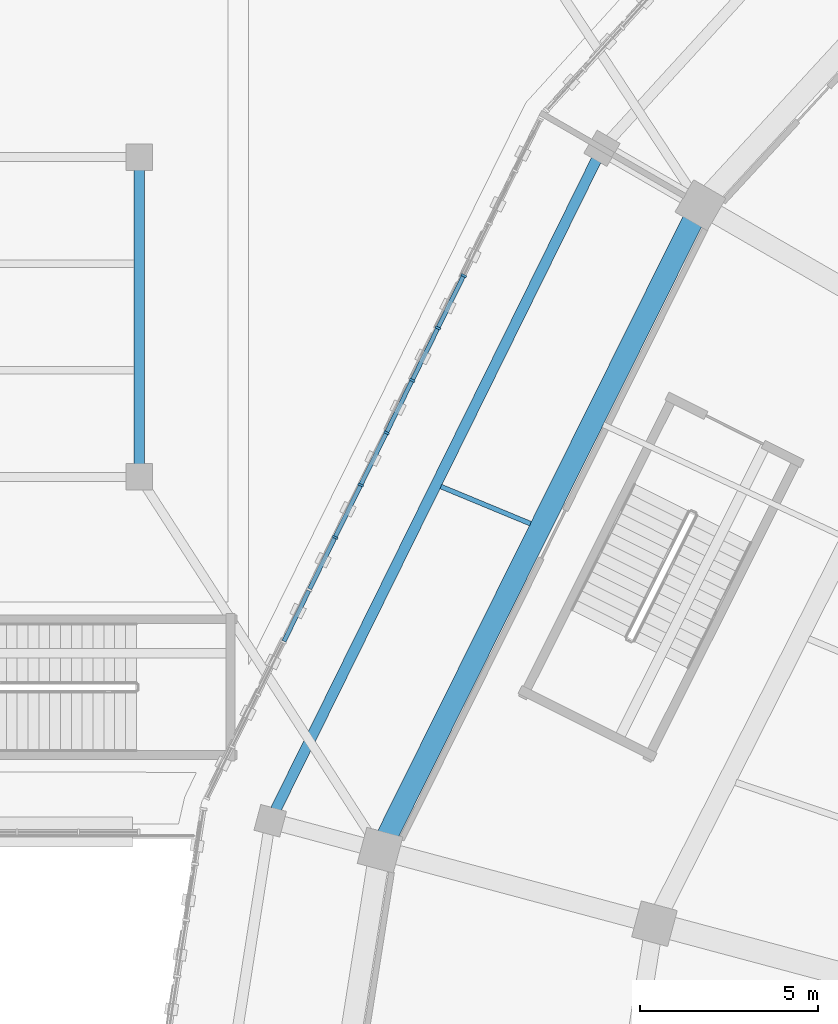
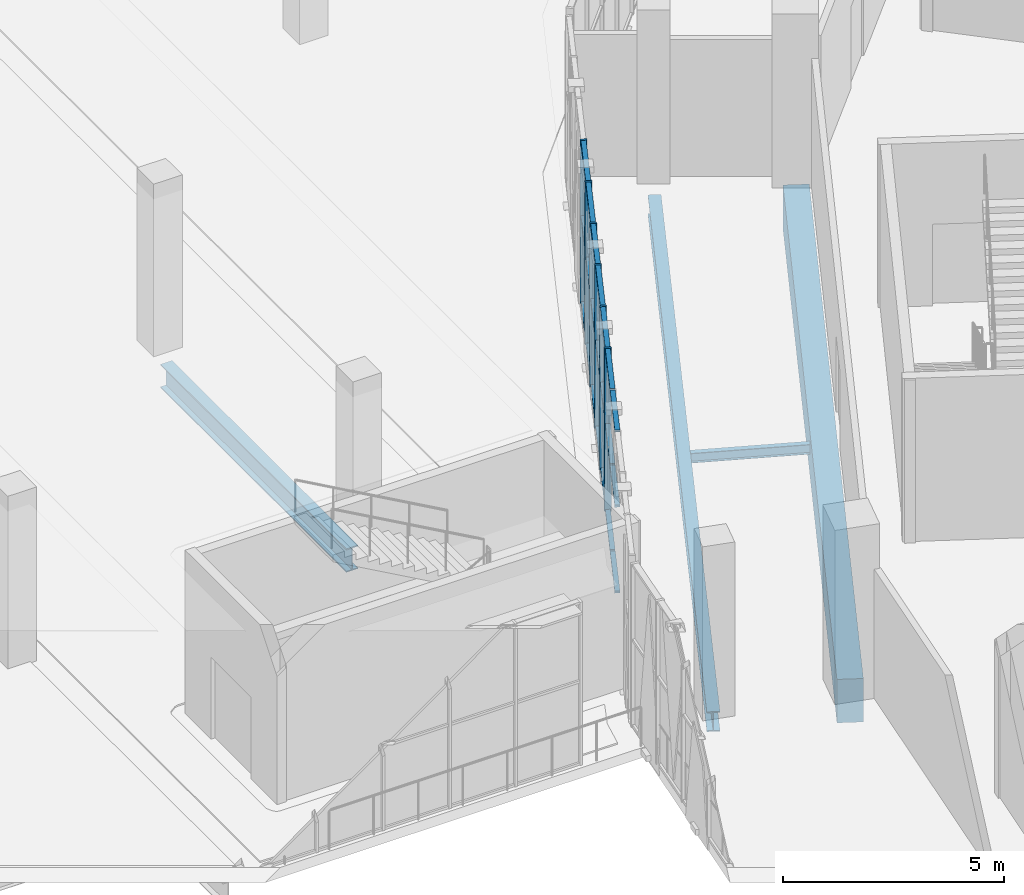
# One storey, part 24 of 179: 27 members, 4 beams, 1 element without a shape of its own.
"""IFC4 building model written with IfcOpenShell, lengths in metres."""

from ifc_helpers import new_model, si_unit, direction, frame, origin, origin_2d, place, context, subcontext, project, spatial, rectangle, i_section, extrude, material, material_profile, profile_set, type_object, element, aggregate, save


model = new_model("IFC4")

# Units and contexts
model_context = context("Model", 3, precision=1e-05, world=origin(), true_north=direction((0.0, 1.0)))
body_context = subcontext(model_context, "Body", "Model", "MODEL_VIEW")
ifc_project = project(units=[si_unit("LENGTHUNIT", "METRE"), si_unit("AREAUNIT", "SQUARE_METRE"), si_unit("VOLUMEUNIT", "CUBIC_METRE"), si_unit("PLANEANGLEUNIT", "RADIAN"), si_unit("MASSUNIT", "GRAM", prefix="KILO")], contexts=[model_context])

# Site, building, storey
site_placement = place(None, origin())
site = spatial("IfcSite", under=ifc_project, at=site_placement, CompositionType="ELEMENT")
building_placement = place(site_placement, origin())
building = spatial("IfcBuilding", under=site, at=building_placement, Name="Zevraka Park Crest Stadium", CompositionType="ELEMENT")
storey_placement = place(building_placement, frame((0.0, 0.0, 10.199951171875)))
storey = spatial("IfcBuildingStorey", under=building, at=storey_placement, Name="L02", CompositionType="ELEMENT", Elevation=10.199951171875)

# Beam
ifc_material_1 = material(Name="Steel S355", Category="steel")
ifc_material_profile_1 = material_profile(ifc_material_1, i_section(OverallWidth=0.300048828125, OverallDepth=0.64990234375, WebThickness=0.01611328125, FlangeThickness=0.031005859375, at=origin_2d()), Name="HEB 650")
ifc_profile_set_1 = profile_set([ifc_material_profile_1], Name="Steel S355")
beam_type_1 = type_object("IfcBeamType", Name="BG07", PredefinedType="BEAM", material=ifc_profile_set_1)
beam_1_placement = place(storey_placement, frame((18.0, 122.300048828125, -0.613037109375), z_axis=(0.0, 1.0, 0.0), x_axis=(-1.0, 0.0, 0.0)))
element("IfcBeam", 1, at=beam_1_placement, inside=storey, type_object=beam_type_1, Name="Wing Girder BG07 L02-3/PQ", PredefinedType="BEAM", context=body_context, shape_type="SweptSolid", body=[
    extrude(i_section(OverallWidth=0.300048828125, OverallDepth=0.64990234375, WebThickness=0.01611328125, FlangeThickness=0.031005859375, at=origin_2d()), origin(), (0.0, 0.0, 1.0), 8.39990234375),
])

# Curtain wall, members
ifc_material_2 = material(Name="Anodised architectural aluminium and laminated safety glass", Category="aluminium")
curtain_wall_type = type_object("IfcCurtainWallType", Name="CW07", PredefinedType="NOTDEFINED", material=ifc_material_2)
curtain_wall_placement = place(storey_placement, origin())
curtain_wall = element("IfcCurtainWall", 2, at=curtain_wall_placement, inside=storey, type_object=curtain_wall_type, Name="Unitised Ring Curtain Wall CW07 L02-10", PredefinedType="NOTDEFINED")
ifc_material_3 = material(Name="Anodised architectural aluminium", Category="aluminium")
ifc_material_profile_2 = material_profile(ifc_material_3, rectangle(XDim=0.159912109375, YDim=0.06005859375, at=origin_2d()), Name="ALU MULLION 160x60")
ifc_profile_set_2 = profile_set([ifc_material_profile_2], Name="Anodised architectural aluminium")
member_type_1 = type_object("IfcMemberType", Name="CM01", PredefinedType="MULLION", material=ifc_profile_set_2)
member_1_placement = place(storey_placement, frame((27.1318359375, 127.66650390625, 0.0), z_axis=(0.0, 0.0, 1.0), x_axis=(0.897496768201, -0.441021032455, 0.0)))
member_1 = element("IfcMember", 3, at=member_1_placement, type_object=member_type_1, Name="CW07 mullion 4", PredefinedType="MULLION", context=body_context, shape_type="SweptSolid", body=[
    extrude(rectangle(XDim=0.159912109375, YDim=0.06005859375, at=origin_2d()), origin(), (0.0, 0.0, 1.0), 4.5),
])
member_2_placement = place(storey_placement, frame((26.407470703125, 126.1923828125, 0.0), z_axis=(0.0, 0.0, 1.0), x_axis=(0.897496768201, -0.441021032455, 0.0)))
member_2 = element("IfcMember", 4, at=member_2_placement, type_object=member_type_1, Name="CW07 mullion 5", PredefinedType="MULLION", context=body_context, shape_type="SweptSolid", body=[
    extrude(rectangle(XDim=0.159912109375, YDim=0.06005859375, at=origin_2d()), origin(), (0.0, 0.0, 1.0), 4.5),
])
member_3_placement = place(storey_placement, frame((25.68310546875, 124.71826171875, 0.0), z_axis=(0.0, 0.0, 1.0), x_axis=(0.897496768201, -0.441021032455, 0.0)))
member_3 = element("IfcMember", 5, at=member_3_placement, type_object=member_type_1, Name="CW07 mullion 6", PredefinedType="MULLION", context=body_context, shape_type="SweptSolid", body=[
    extrude(rectangle(XDim=0.159912109375, YDim=0.06005859375, at=origin_2d()), origin(), (0.0, 0.0, 1.0), 4.5),
])
member_4_placement = place(storey_placement, frame((24.958740234375, 123.244140625, 0.0), z_axis=(0.0, 0.0, 1.0), x_axis=(0.897496768201, -0.441021032455, 0.0)))
member_4 = element("IfcMember", 6, at=member_4_placement, type_object=member_type_1, Name="CW07 mullion 7", PredefinedType="MULLION", context=body_context, shape_type="SweptSolid", body=[
    extrude(rectangle(XDim=0.159912109375, YDim=0.06005859375, at=origin_2d()), origin(), (0.0, 0.0, 1.0), 4.5),
])
member_5_placement = place(storey_placement, frame((24.234375, 121.77001953125, 0.0), z_axis=(0.0, 0.0, 1.0), x_axis=(0.897496768201, -0.441021032455, 0.0)))
member_5 = element("IfcMember", 7, at=member_5_placement, type_object=member_type_1, Name="CW07 mullion 8", PredefinedType="MULLION", context=body_context, shape_type="SweptSolid", body=[
    extrude(rectangle(XDim=0.159912109375, YDim=0.06005859375, at=origin_2d()), origin(), (0.0, 0.0, 1.0), 4.5),
])
member_6_placement = place(storey_placement, frame((23.510009765625, 120.295654296875, 0.0), z_axis=(0.0, 0.0, 1.0), x_axis=(0.897496768201, -0.441021032455, 0.0)))
member_6 = element("IfcMember", 8, at=member_6_placement, type_object=member_type_1, Name="CW07 mullion 9", PredefinedType="MULLION", context=body_context, shape_type="SweptSolid", body=[
    extrude(rectangle(XDim=0.159912109375, YDim=0.06005859375, at=origin_2d()), origin(), (0.0, 0.0, 1.0), 4.5),
])
ifc_material_4 = material(Name="Anodised architectural aluminium", Category="aluminium")
ifc_material_profile_3 = material_profile(ifc_material_4, rectangle(XDim=0.1201171875, YDim=0.06005859375, at=origin_2d()), Name="ALU TRANSOM 120x60")
ifc_profile_set_3 = profile_set([ifc_material_profile_3], Name="Anodised architectural aluminium")
member_type_2 = type_object("IfcMemberType", Name="CT01", PredefinedType="USERDEFINED", material=ifc_profile_set_3)
member_7_placement = place(storey_placement, frame((27.11865234375, 127.6396484375, 0.030029296875), z_axis=(-0.441032508924, -0.897491128687, 0.0), x_axis=(0.897491128687, -0.441032508924, 0.0)))
member_7 = element("IfcMember", 9, at=member_7_placement, type_object=member_type_2, Name="CW07 transom 4.1", ObjectType="TRANSOM", PredefinedType="USERDEFINED", context=body_context, shape_type="SweptSolid", body=[
    extrude(rectangle(XDim=0.1201171875, YDim=0.06005859375, at=origin_2d()), origin(), (0.0, 0.0, 1.0), 1.582763671875),
])
member_8_placement = place(storey_placement, frame((27.11865234375, 127.6396484375, 2.400146484375), z_axis=(-0.441032508924, -0.897491128687, 0.0), x_axis=(0.897491128687, -0.441032508924, 0.0)))
member_8 = element("IfcMember", 10, at=member_8_placement, type_object=member_type_2, Name="CW07 transom 4.2", ObjectType="TRANSOM", PredefinedType="USERDEFINED", context=body_context, shape_type="SweptSolid", body=[
    extrude(rectangle(XDim=0.1201171875, YDim=0.06005859375, at=origin_2d()), origin(), (0.0, 0.0, 1.0), 1.582763671875),
])
member_9_placement = place(storey_placement, frame((27.11865234375, 127.6396484375, 4.469970703125), z_axis=(-0.441032508924, -0.897491128687, 0.0), x_axis=(0.897491128687, -0.441032508924, 0.0)))
member_9 = element("IfcMember", 11, at=member_9_placement, type_object=member_type_2, Name="CW07 transom 4.3", ObjectType="TRANSOM", PredefinedType="USERDEFINED", context=body_context, shape_type="SweptSolid", body=[
    extrude(rectangle(XDim=0.1201171875, YDim=0.06005859375, at=origin_2d()), origin(), (0.0, 0.0, 1.0), 1.582763671875),
])
member_10_placement = place(storey_placement, frame((26.394287109375, 126.16552734375, 0.030029296875), z_axis=(-0.441032508924, -0.897491128687, 0.0), x_axis=(0.897491128687, -0.441032508924, 0.0)))
member_10 = element("IfcMember", 12, at=member_10_placement, type_object=member_type_2, Name="CW07 transom 5.1", ObjectType="TRANSOM", PredefinedType="USERDEFINED", context=body_context, shape_type="SweptSolid", body=[
    extrude(rectangle(XDim=0.1201171875, YDim=0.06005859375, at=origin_2d()), origin(), (0.0, 0.0, 1.0), 1.582763671875),
])
member_11_placement = place(storey_placement, frame((26.394287109375, 126.16552734375, 2.400146484375), z_axis=(-0.441032508924, -0.897491128687, 0.0), x_axis=(0.897491128687, -0.441032508924, 0.0)))
member_11 = element("IfcMember", 13, at=member_11_placement, type_object=member_type_2, Name="CW07 transom 5.2", ObjectType="TRANSOM", PredefinedType="USERDEFINED", context=body_context, shape_type="SweptSolid", body=[
    extrude(rectangle(XDim=0.1201171875, YDim=0.06005859375, at=origin_2d()), origin(), (0.0, 0.0, 1.0), 1.582763671875),
])
member_12_placement = place(storey_placement, frame((26.394287109375, 126.16552734375, 4.469970703125), z_axis=(-0.441032508924, -0.897491128687, 0.0), x_axis=(0.897491128687, -0.441032508924, 0.0)))
member_12 = element("IfcMember", 14, at=member_12_placement, type_object=member_type_2, Name="CW07 transom 5.3", ObjectType="TRANSOM", PredefinedType="USERDEFINED", context=body_context, shape_type="SweptSolid", body=[
    extrude(rectangle(XDim=0.1201171875, YDim=0.06005859375, at=origin_2d()), origin(), (0.0, 0.0, 1.0), 1.582763671875),
])
member_13_placement = place(storey_placement, frame((25.669921875, 124.69140625, 0.030029296875), z_axis=(-0.441032508924, -0.897491128687, 0.0), x_axis=(0.897491128687, -0.441032508924, 0.0)))
member_13 = element("IfcMember", 15, at=member_13_placement, type_object=member_type_2, Name="CW07 transom 6.1", ObjectType="TRANSOM", PredefinedType="USERDEFINED", context=body_context, shape_type="SweptSolid", body=[
    extrude(rectangle(XDim=0.1201171875, YDim=0.06005859375, at=origin_2d()), origin(), (0.0, 0.0, 1.0), 1.582763671875),
])
member_14_placement = place(storey_placement, frame((25.669921875, 124.69140625, 2.400146484375), z_axis=(-0.441032508924, -0.897491128687, 0.0), x_axis=(0.897491128687, -0.441032508924, 0.0)))
member_14 = element("IfcMember", 16, at=member_14_placement, type_object=member_type_2, Name="CW07 transom 6.2", ObjectType="TRANSOM", PredefinedType="USERDEFINED", context=body_context, shape_type="SweptSolid", body=[
    extrude(rectangle(XDim=0.1201171875, YDim=0.06005859375, at=origin_2d()), origin(), (0.0, 0.0, 1.0), 1.582763671875),
])
member_15_placement = place(storey_placement, frame((25.669921875, 124.69140625, 4.469970703125), z_axis=(-0.441032508924, -0.897491128687, 0.0), x_axis=(0.897491128687, -0.441032508924, 0.0)))
member_15 = element("IfcMember", 17, at=member_15_placement, type_object=member_type_2, Name="CW07 transom 6.3", ObjectType="TRANSOM", PredefinedType="USERDEFINED", context=body_context, shape_type="SweptSolid", body=[
    extrude(rectangle(XDim=0.1201171875, YDim=0.06005859375, at=origin_2d()), origin(), (0.0, 0.0, 1.0), 1.582763671875),
])
member_16_placement = place(storey_placement, frame((24.945556640625, 123.217041015625, 0.030029296875), z_axis=(-0.441093576416, -0.897461117177, 0.0), x_axis=(0.897461117177, -0.441093576416, 0.0)))
member_16 = element("IfcMember", 18, at=member_16_placement, type_object=member_type_2, Name="CW07 transom 7.1", ObjectType="TRANSOM", PredefinedType="USERDEFINED", context=body_context, shape_type="SweptSolid", body=[
    extrude(rectangle(XDim=0.1201171875, YDim=0.06005859375, at=origin_2d()), origin(), (0.0, 0.0, 1.0), 1.58251953125),
])
member_17_placement = place(storey_placement, frame((24.945556640625, 123.217041015625, 2.400146484375), z_axis=(-0.441093576416, -0.897461117177, 0.0), x_axis=(0.897461117177, -0.441093576416, 0.0)))
member_17 = element("IfcMember", 19, at=member_17_placement, type_object=member_type_2, Name="CW07 transom 7.2", ObjectType="TRANSOM", PredefinedType="USERDEFINED", context=body_context, shape_type="SweptSolid", body=[
    extrude(rectangle(XDim=0.1201171875, YDim=0.06005859375, at=origin_2d()), origin(), (0.0, 0.0, 1.0), 1.58251953125),
])
member_18_placement = place(storey_placement, frame((24.945556640625, 123.217041015625, 4.469970703125), z_axis=(-0.441093576416, -0.897461117177, 0.0), x_axis=(0.897461117177, -0.441093576416, 0.0)))
member_18 = element("IfcMember", 20, at=member_18_placement, type_object=member_type_2, Name="CW07 transom 7.3", ObjectType="TRANSOM", PredefinedType="USERDEFINED", context=body_context, shape_type="SweptSolid", body=[
    extrude(rectangle(XDim=0.1201171875, YDim=0.06005859375, at=origin_2d()), origin(), (0.0, 0.0, 1.0), 1.58251953125),
])
member_19_placement = place(storey_placement, frame((24.22119140625, 121.742919921875, 0.030029296875), z_axis=(-0.441093576416, -0.897461117177, 0.0), x_axis=(0.897461117177, -0.441093576416, 0.0)))
member_19 = element("IfcMember", 21, at=member_19_placement, type_object=member_type_2, Name="CW07 transom 8.1", ObjectType="TRANSOM", PredefinedType="USERDEFINED", context=body_context, shape_type="SweptSolid", body=[
    extrude(rectangle(XDim=0.1201171875, YDim=0.06005859375, at=origin_2d()), origin(), (0.0, 0.0, 1.0), 1.58251953125),
])
member_20_placement = place(storey_placement, frame((24.22119140625, 121.742919921875, 2.400146484375), z_axis=(-0.441093576416, -0.897461117177, 0.0), x_axis=(0.897461117177, -0.441093576416, 0.0)))
member_20 = element("IfcMember", 22, at=member_20_placement, type_object=member_type_2, Name="CW07 transom 8.2", ObjectType="TRANSOM", PredefinedType="USERDEFINED", context=body_context, shape_type="SweptSolid", body=[
    extrude(rectangle(XDim=0.1201171875, YDim=0.06005859375, at=origin_2d()), origin(), (0.0, 0.0, 1.0), 1.58251953125),
])
member_21_placement = place(storey_placement, frame((24.22119140625, 121.742919921875, 4.469970703125), z_axis=(-0.441093576416, -0.897461117177, 0.0), x_axis=(0.897461117177, -0.441093576416, 0.0)))
member_21 = element("IfcMember", 23, at=member_21_placement, type_object=member_type_2, Name="CW07 transom 8.3", ObjectType="TRANSOM", PredefinedType="USERDEFINED", context=body_context, shape_type="SweptSolid", body=[
    extrude(rectangle(XDim=0.1201171875, YDim=0.06005859375, at=origin_2d()), origin(), (0.0, 0.0, 1.0), 1.58251953125),
])
member_22_placement = place(storey_placement, frame((23.49658203125, 120.268798828125, 0.030029296875), z_axis=(-0.440969299006, -0.897522187656, 0.0), x_axis=(0.897522187656, -0.440969299006, 0.0)))
member_22 = element("IfcMember", 24, at=member_22_placement, type_object=member_type_2, Name="CW07 transom 9.1", ObjectType="TRANSOM", PredefinedType="USERDEFINED", context=body_context, shape_type="SweptSolid", body=[
    extrude(rectangle(XDim=0.1201171875, YDim=0.06005859375, at=origin_2d()), origin(), (0.0, 0.0, 1.0), 1.582275390625),
])
member_23_placement = place(storey_placement, frame((23.49658203125, 120.268798828125, 2.400146484375), z_axis=(-0.440969299006, -0.897522187656, 0.0), x_axis=(0.897522187656, -0.440969299006, 0.0)))
member_23 = element("IfcMember", 25, at=member_23_placement, type_object=member_type_2, Name="CW07 transom 9.2", ObjectType="TRANSOM", PredefinedType="USERDEFINED", context=body_context, shape_type="SweptSolid", body=[
    extrude(rectangle(XDim=0.1201171875, YDim=0.06005859375, at=origin_2d()), origin(), (0.0, 0.0, 1.0), 1.582275390625),
])
member_24_placement = place(storey_placement, frame((23.49658203125, 120.268798828125, 4.469970703125), z_axis=(-0.440969299006, -0.897522187656, 0.0), x_axis=(0.897522187656, -0.440969299006, 0.0)))
member_24 = element("IfcMember", 26, at=member_24_placement, type_object=member_type_2, Name="CW07 transom 9.3", ObjectType="TRANSOM", PredefinedType="USERDEFINED", context=body_context, shape_type="SweptSolid", body=[
    extrude(rectangle(XDim=0.1201171875, YDim=0.06005859375, at=origin_2d()), origin(), (0.0, 0.0, 1.0), 1.582275390625),
])
member_25_placement = place(storey_placement, frame((22.772216796875, 118.794677734375, 0.030029296875), z_axis=(-0.440908240413, -0.897552184297, 0.0), x_axis=(0.897552184297, -0.440908240413, 0.0)))
member_25 = element("IfcMember", 27, at=member_25_placement, type_object=member_type_2, Name="CW07 transom 10.1", ObjectType="TRANSOM", PredefinedType="USERDEFINED", context=body_context, shape_type="SweptSolid", body=[
    extrude(rectangle(XDim=0.1201171875, YDim=0.06005859375, at=origin_2d()), origin(), (0.0, 0.0, 1.0), 1.58251953125),
])
member_26_placement = place(storey_placement, frame((22.772216796875, 118.794677734375, 2.400146484375), z_axis=(-0.440908240413, -0.897552184297, 0.0), x_axis=(0.897552184297, -0.440908240413, 0.0)))
member_26 = element("IfcMember", 28, at=member_26_placement, type_object=member_type_2, Name="CW07 transom 10.2", ObjectType="TRANSOM", PredefinedType="USERDEFINED", context=body_context, shape_type="SweptSolid", body=[
    extrude(rectangle(XDim=0.1201171875, YDim=0.06005859375, at=origin_2d()), origin(), (0.0, 0.0, 1.0), 1.58251953125),
])
member_27_placement = place(storey_placement, frame((22.772216796875, 118.794677734375, 4.469970703125), z_axis=(-0.440908240413, -0.897552184297, 0.0), x_axis=(0.897552184297, -0.440908240413, 0.0)))
member_27 = element("IfcMember", 29, at=member_27_placement, type_object=member_type_2, Name="CW07 transom 10.3", ObjectType="TRANSOM", PredefinedType="USERDEFINED", context=body_context, shape_type="SweptSolid", body=[
    extrude(rectangle(XDim=0.1201171875, YDim=0.06005859375, at=origin_2d()), origin(), (0.0, 0.0, 1.0), 1.58251953125),
])
aggregate(curtain_wall, [member_1, member_2, member_3, member_4, member_5, member_6, member_7, member_8, member_9, member_10, member_11, member_12, member_13, member_14, member_15, member_16, member_17, member_18, member_19, member_20, member_21, member_22, member_23, member_24, member_25, member_26, member_27])

# Beams
ifc_material_5 = material(Name="Concrete C40/50", Category="concrete")
ifc_material_profile_4 = material_profile(ifc_material_5, rectangle(XDim=0.60009765625, YDim=1.199951171875, at=origin_2d()), Name="RC 1200x600")
ifc_profile_set_4 = profile_set([ifc_material_profile_4], Name="Concrete C40/50")
beam_type_2 = type_object("IfcBeamType", Name="RB01", PredefinedType="BEAM", material=ifc_profile_set_4)
beam_2_placement = place(storey_placement, frame((33.62890625, 129.31005859375, -0.60986328125), z_axis=(-0.444850507814, -0.895604837916, 0.0), x_axis=(0.895604837916, -0.444850507814, 0.0)))
element("IfcBeam", 30, at=beam_2_placement, inside=storey, type_object=beam_type_2, Name="Ring Beam RB01 L02-D-10", PredefinedType="BEAM", context=body_context, shape_type="SweptSolid", body=[
    extrude(rectangle(XDim=0.60009765625, YDim=1.199951171875, at=origin_2d()), origin(), (0.0, 0.0, 1.0), 19.5185546875),
])
ifc_material_6 = material(Name="Steel S355", Category="steel")
ifc_material_profile_5 = material_profile(ifc_material_6, i_section(OverallWidth=0.300048828125, OverallDepth=0.550048828125, WebThickness=0.014892578125, FlangeThickness=0.029052734375, at=origin_2d()), Name="HEB 550")
ifc_profile_set_5 = profile_set([ifc_material_profile_5], Name="Steel S355")
beam_type_3 = type_object("IfcBeamType", Name="RB04", PredefinedType="BEAM", material=ifc_profile_set_5)
beam_3_placement = place(storey_placement, frame((30.8720703125, 130.93603515625, -0.5849609375), z_axis=(-0.442446810597, -0.896794747862, 0.0), x_axis=(0.896794747862, -0.442446810597, 0.0)))
element("IfcBeam", 31, at=beam_3_placement, inside=storey, type_object=beam_type_3, Name="Ring Beam RB04 L02-E-10", PredefinedType="BEAM", context=body_context, shape_type="SweptSolid", body=[
    extrude(i_section(OverallWidth=0.300048828125, OverallDepth=0.550048828125, WebThickness=0.014892578125, FlangeThickness=0.029052734375, at=origin_2d()), origin(), (0.0, 0.0, 1.0), 20.41162109375),
])
ifc_material_7 = material(Name="Steel S355", Category="steel")
ifc_material_profile_6 = material_profile(ifc_material_7, i_section(OverallWidth=0.135009765625, OverallDepth=0.27001953125, WebThickness=0.006591796875, FlangeThickness=0.01025390625, at=origin_2d()), Name="IPE 270")
ifc_profile_set_6 = profile_set([ifc_material_profile_6], Name="Steel S355")
beam_type_4 = type_object("IfcBeamType", Name="SJ07", PredefinedType="JOIST", material=ifc_profile_set_6)
beam_4_placement = place(storey_placement, frame((29.014892578125, 120.681884765625, -0.4228515625), z_axis=(-0.923841523408, 0.382775181571, 0.0), x_axis=(-0.382775181571, -0.923841523408, 0.0)))
element("IfcBeam", 32, at=beam_4_placement, inside=storey, type_object=beam_type_4, Name="Floor Joist SJ07 L02-DE-10-1", PredefinedType="JOIST", context=body_context, shape_type="SweptSolid", body=[
    extrude(i_section(OverallWidth=0.135009765625, OverallDepth=0.27001953125, WebThickness=0.006591796875, FlangeThickness=0.01025390625, at=origin_2d()), origin(), (0.0, 0.0, 1.0), 2.733154296875),
])

save(model, "model.ifc")
